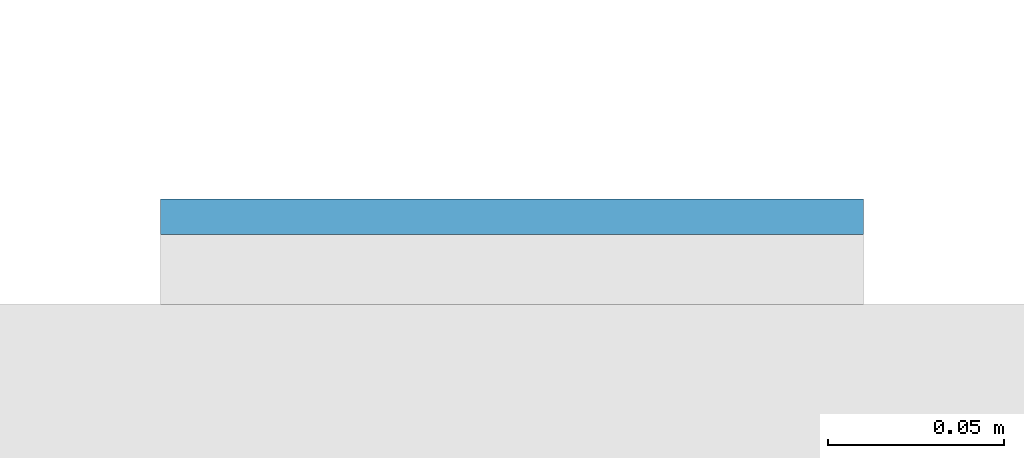
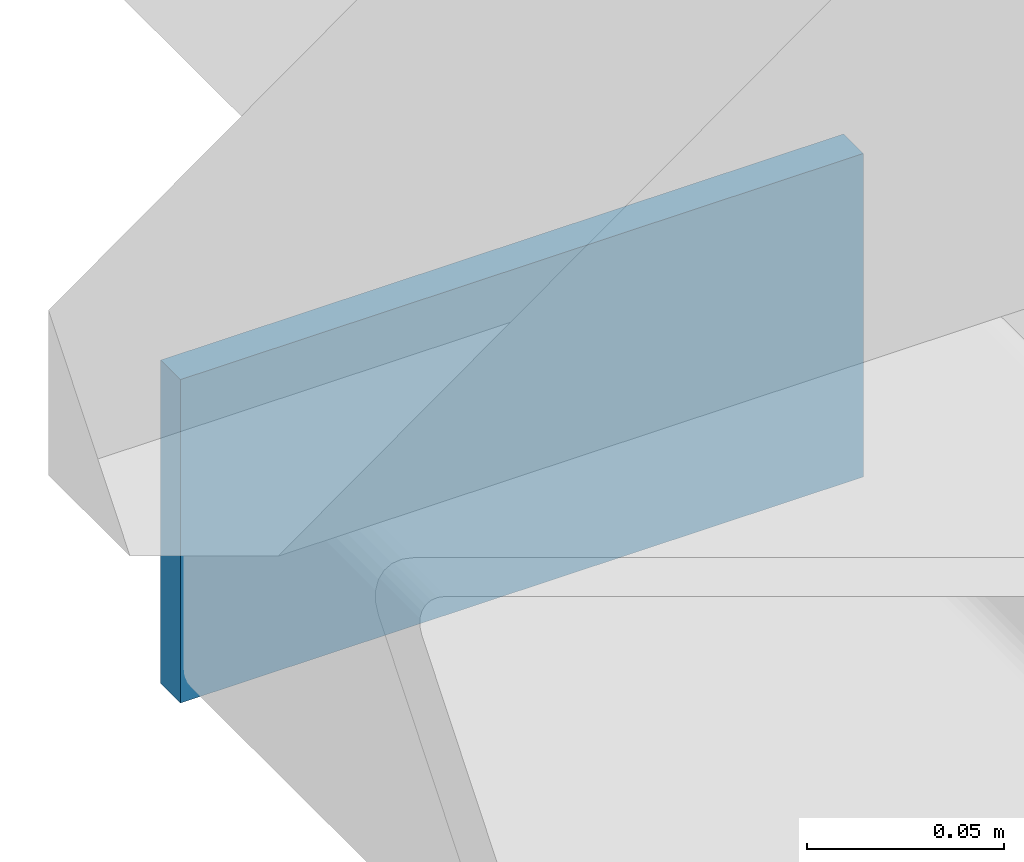
# One storey, part 9 of 20: 1 plate.
"""IFC4 building model written with IfcOpenShell, lengths in metres."""

from ifc_helpers import new_model, si_unit, direction, frame, origin, origin_2d, place, context, subcontext, project, spatial, rectangle, extrude, material, layer, layer_set, type_object, element, save


model = new_model("IFC4")

# Units and contexts
model_context = context("Model", 3, precision=1e-05, world=origin(), true_north=direction((0.0, 1.0)))
body_context = subcontext(model_context, "Body", "Model", "MODEL_VIEW")
ifc_project = project(units=[si_unit("LENGTHUNIT", "METRE"), si_unit("AREAUNIT", "SQUARE_METRE"), si_unit("VOLUMEUNIT", "CUBIC_METRE"), si_unit("PLANEANGLEUNIT", "RADIAN"), si_unit("MASSUNIT", "GRAM", prefix="KILO")], contexts=[model_context])

# Site, building, storey
site_placement = place(None, origin())
site = spatial("IfcSite", under=ifc_project, at=site_placement, CompositionType="ELEMENT")
building_placement = place(site_placement, origin())
building = spatial("IfcBuilding", under=site, at=building_placement, Name="Cleftline Residences", CompositionType="ELEMENT")
storey_placement = place(building_placement, frame((0.0, 0.0, 107.0)))
storey = spatial("IfcBuildingStorey", under=building, at=storey_placement, Name="L27", CompositionType="ELEMENT", Elevation=107.0)

# Plate
ifc_material = material(Name="Steel S355, hot-dip galvanised", Category="steel")
ifc_layer = layer(ifc_material, 0.010009765625)
ifc_layer_set = layer_set([ifc_layer], Name="BAGUETTE CARRIER END PLATE 200X100X10")
plate_type = type_object("IfcPlateType", Name="BAGUETTE CARRIER END PLATE 200X100X10", PredefinedType="USERDEFINED", material=ifc_layer_set)
plate_placement = place(storey_placement, frame((-0.85009765625, 44.304931640625, -0.10009765625), z_axis=(0.0, 0.0, 1.0), x_axis=(-1.0, 0.0, 0.0)))
element("IfcPlate", 1, at=plate_placement, inside=storey, type_object=plate_type, Name="Baguette carrier end plate", ObjectType="BAGUETTE CARRIER END PLATE", PredefinedType="USERDEFINED", context=body_context, shape_type="SweptSolid", body=[
    extrude(rectangle(XDim=0.199951171875, YDim=0.010009765625, at=origin_2d()), origin(), (0.0, 0.0, 1.0), 0.10009765625),
])

save(model, "model.ifc")
